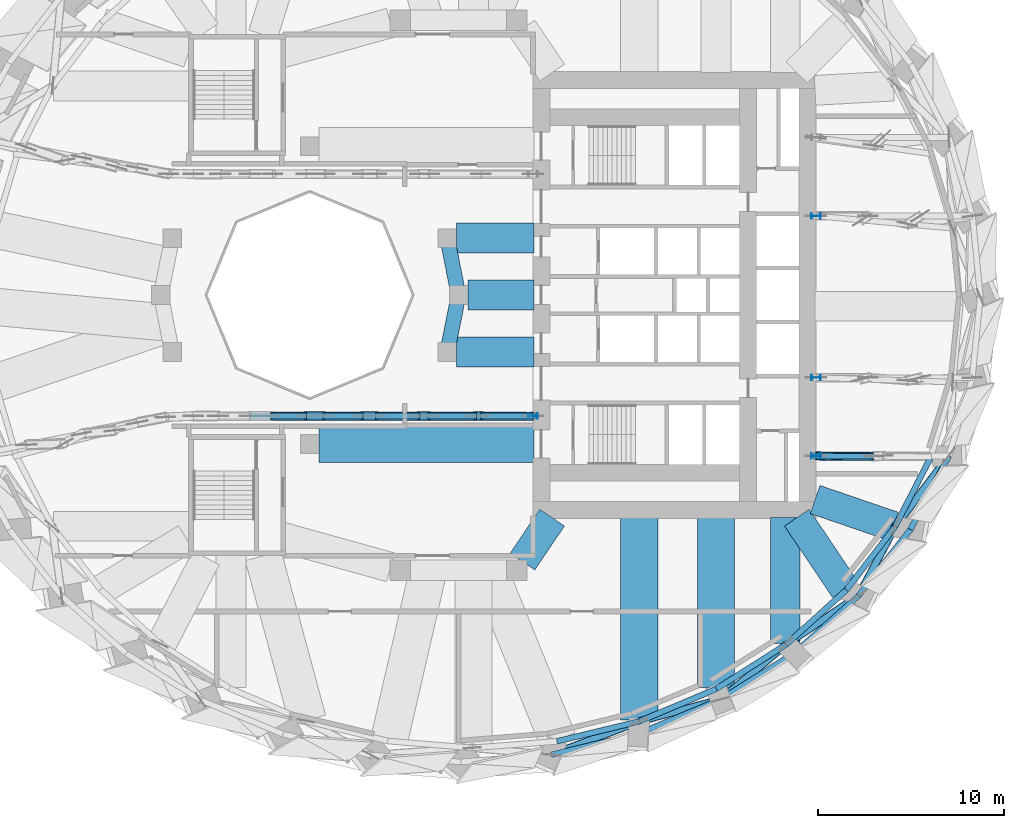
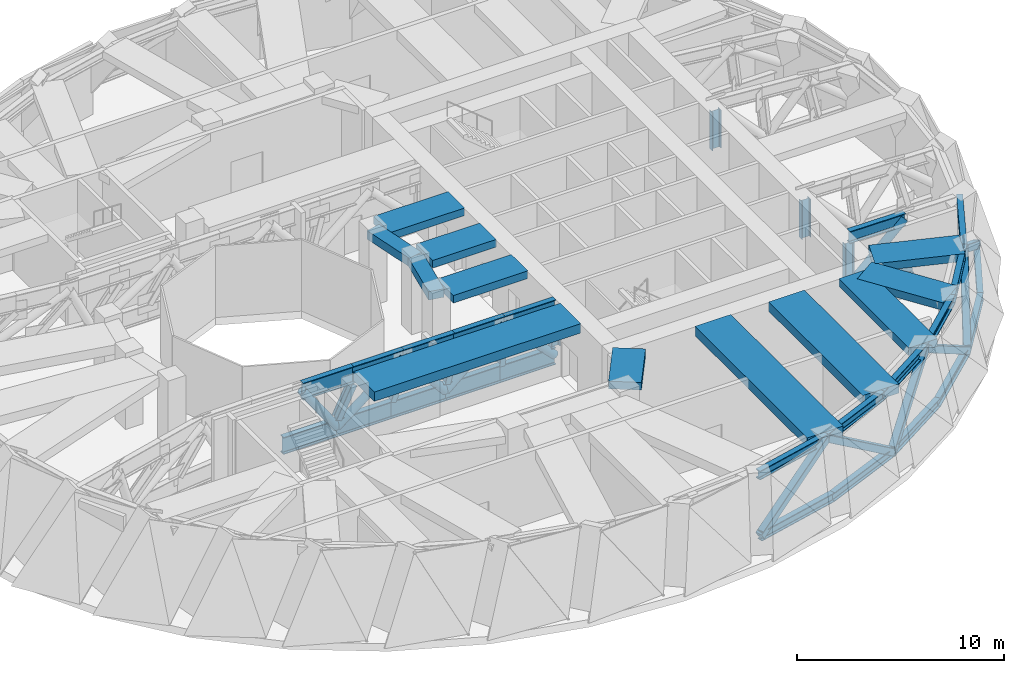
# One storey, part 3 of 15: 44 members, 12 beams.
"""IFC4 building model written with IfcOpenShell, lengths in metres."""

from ifc_helpers import new_model, si_unit, direction, frame, origin, origin_2d, place, context, subcontext, project, spatial, rectangle, hollow_rectangle, hollow_circle, i_section, extrude, material, material_profile, profile_set, type_object, element, save


model = new_model("IFC4")

# Units and contexts
model_context = context("Model", 3, precision=1e-05, world=origin(), true_north=direction((0.0, 1.0)))
body_context = subcontext(model_context, "Body", "Model", "MODEL_VIEW")
ifc_project = project(units=[si_unit("LENGTHUNIT", "METRE"), si_unit("AREAUNIT", "SQUARE_METRE"), si_unit("VOLUMEUNIT", "CUBIC_METRE"), si_unit("PLANEANGLEUNIT", "RADIAN"), si_unit("MASSUNIT", "GRAM", prefix="KILO")], contexts=[model_context])

# Site, building, storey
site_placement = place(None, origin())
site = spatial("IfcSite", under=ifc_project, at=site_placement, CompositionType="ELEMENT")
building_placement = place(site_placement, origin())
building = spatial("IfcBuilding", under=site, at=building_placement, Name="Taillehof Tower", CompositionType="ELEMENT")
storey_placement = place(building_placement, frame((0.0, 0.0, 84.39990234375)))
storey = spatial("IfcBuildingStorey", under=building, at=storey_placement, Name="L23", CompositionType="ELEMENT", Elevation=84.39990234375)

# Beams
ifc_material_1 = material(Name="Concrete C50/60", Category="concrete")
ifc_material_profile_1 = material_profile(ifc_material_1, rectangle(XDim=0.800048828125, YDim=0.5, at=origin_2d()), Name="RC 800x500")
ifc_profile_set_1 = profile_set([ifc_material_profile_1], Name="Concrete C50/60")
beam_type_1 = type_object("IfcBeamType", Name="Atrium ring beam C50/60 800x500", PredefinedType="BEAM", material=ifc_profile_set_1)
for number, where, z_axis, x_axis, name in (
    (1, (0.0, 0.0, 3.97021484375), (-0.195063155143, 0.980790683839, 0.0), (-0.980790683839, -0.195063155143, 0.0), "Atrium ring beam AB01"),
    (2, (-0.60888671875, -3.0615234375, 3.97021484375), (0.195063155143, 0.980790683839, 0.0), (-0.980790683839, 0.195063155143, 0.0), "Atrium ring beam AB08"),
):
    element("IfcBeam", number, at=place(storey_placement, frame(where, z_axis=z_axis, x_axis=x_axis)), inside=storey, type_object=beam_type_1, Name=name, PredefinedType="BEAM", context=body_context, shape_type="SweptSolid", body=[
        extrude(rectangle(XDim=0.800048828125, YDim=0.5, at=origin_2d()), origin(), (0.0, 0.0, 1.0), 3.12158203125),
    ])

# Members
ifc_material_2 = material(Name="Steel S460M", Category="steel")
ifc_material_profile_2 = material_profile(ifc_material_2, i_section(OverallWidth=0.305908203125, OverallDepth=0.52392578125, WebThickness=0.02099609375, FlangeThickness=0.0400390625, FilletRadius=0.027099609375, at=origin_2d()), Name="HEM 500")
ifc_profile_set_2 = profile_set([ifc_material_profile_2], Name="Steel S460M")
member_type_1 = type_object("IfcMemberType", Name="Belt truss chord HEM 500", PredefinedType="CHORD", material=ifc_profile_set_2)
member_1_placement = place(storey_placement, frame((4.977783203125, -24.69775390625, 0.900146484375), z_axis=(0.972180780297, 0.234231787813, 0.0), x_axis=(-0.234231787813, 0.972180780297, 0.0)))
element("IfcMember", 3, at=member_1_placement, inside=storey, type_object=member_type_1, Name="Belt truss bottom chord BB29", PredefinedType="CHORD", context=body_context, shape_type="SweptSolid", body=[
    extrude(i_section(OverallWidth=0.305908203125, OverallDepth=0.52392578125, WebThickness=0.02099609375, FlangeThickness=0.0400390625, FilletRadius=0.027099609375, at=origin_2d()), origin(), (0.0, 0.0, 1.0), 4.826904296875),
])
member_2_placement = place(storey_placement, frame((5.28759765625, -23.974609375, 3.9580078125), z_axis=(0.971993416931, 0.235008079529, 0.0), x_axis=(-0.235008079529, 0.971993416931, 0.0)))
element("IfcMember", 4, at=member_2_placement, inside=storey, type_object=member_type_1, Name="Belt truss top chord BT29", PredefinedType="CHORD", context=body_context, shape_type="SweptSolid", body=[
    extrude(i_section(OverallWidth=0.305908203125, OverallDepth=0.52392578125, WebThickness=0.02099609375, FlangeThickness=0.0400390625, FilletRadius=0.027099609375, at=origin_2d()), origin(), (0.0, 0.0, 1.0), 4.544921875),
])
member_3_placement = place(storey_placement, frame((9.67041015625, -23.567138671875, 0.900146484375), z_axis=(0.922564309372, 0.385843355617, 0.0), x_axis=(-0.385843355617, 0.922564309372, 0.0)))
element("IfcMember", 5, at=member_3_placement, inside=storey, type_object=member_type_1, Name="Belt truss bottom chord BB30", PredefinedType="CHORD", context=body_context, shape_type="SweptSolid", body=[
    extrude(i_section(OverallWidth=0.305908203125, OverallDepth=0.52392578125, WebThickness=0.02099609375, FlangeThickness=0.0400390625, FilletRadius=0.027099609375, at=origin_2d()), origin(), (0.0, 0.0, 1.0), 4.770263671875),
])
member_4_placement = place(storey_placement, frame((9.705322265625, -22.906494140625, 3.9580078125), z_axis=(0.921260355796, 0.388946470402, 0.0), x_axis=(-0.388946470402, 0.921260355796, 0.0)))
element("IfcMember", 6, at=member_4_placement, inside=storey, type_object=member_type_1, Name="Belt truss top chord BT30", PredefinedType="CHORD", context=body_context, shape_type="SweptSolid", body=[
    extrude(i_section(OverallWidth=0.305908203125, OverallDepth=0.52392578125, WebThickness=0.02099609375, FlangeThickness=0.0400390625, FilletRadius=0.027099609375, at=origin_2d()), origin(), (0.0, 0.0, 1.0), 4.50244140625),
])
member_5_placement = place(storey_placement, frame((14.0712890625, -21.7265625, 0.900146484375), z_axis=(0.847126764338, 0.531390859107, 0.0), x_axis=(-0.531390859107, 0.847126764338, 0.0)))
element("IfcMember", 7, at=member_5_placement, inside=storey, type_object=member_type_1, Name="Belt truss bottom chord BB31", PredefinedType="CHORD", context=body_context, shape_type="SweptSolid", body=[
    extrude(i_section(OverallWidth=0.305908203125, OverallDepth=0.52392578125, WebThickness=0.02099609375, FlangeThickness=0.0400390625, FilletRadius=0.027099609375, at=origin_2d()), origin(), (0.0, 0.0, 1.0), 4.69580078125),
])
member_6_placement = place(storey_placement, frame((13.853271484375, -21.1552734375, 3.9580078125), z_axis=(0.844161471075, 0.536088995179, 0.0), x_axis=(-0.536088995179, 0.844161471075, 0.0)))
element("IfcMember", 8, at=member_6_placement, inside=storey, type_object=member_type_1, Name="Belt truss top chord BT31", PredefinedType="CHORD", context=body_context, shape_type="SweptSolid", body=[
    extrude(i_section(OverallWidth=0.305908203125, OverallDepth=0.52392578125, WebThickness=0.02099609375, FlangeThickness=0.0400390625, FilletRadius=0.027099609375, at=origin_2d()), origin(), (0.0, 0.0, 1.0), 4.440185546875),
])
member_7_placement = place(storey_placement, frame((18.04931640625, -19.231201171875, 0.900146484375), z_axis=(0.745118083578, 0.666932561452, 0.0), x_axis=(-0.666932561452, 0.745118083578, 0.0)))
element("IfcMember", 9, at=member_7_placement, inside=storey, type_object=member_type_1, Name="Belt truss bottom chord BB32", PredefinedType="CHORD", context=body_context, shape_type="SweptSolid", body=[
    extrude(i_section(OverallWidth=0.305908203125, OverallDepth=0.52392578125, WebThickness=0.02099609375, FlangeThickness=0.0400390625, FilletRadius=0.027099609375, at=origin_2d()), origin(), (0.0, 0.0, 1.0), 4.612060546875),
])
member_8_placement = place(storey_placement, frame((17.6015625, -18.77490234375, 3.9580078125), z_axis=(0.740392805519, 0.672174451714, 0.0), x_axis=(-0.672174451714, 0.740392805519, 0.0)))
element("IfcMember", 10, at=member_8_placement, inside=storey, type_object=member_type_1, Name="Belt truss top chord BT32", PredefinedType="CHORD", context=body_context, shape_type="SweptSolid", body=[
    extrude(i_section(OverallWidth=0.305908203125, OverallDepth=0.52392578125, WebThickness=0.02099609375, FlangeThickness=0.0400390625, FilletRadius=0.027099609375, at=origin_2d()), origin(), (0.0, 0.0, 1.0), 4.3662109375),
])
member_9_placement = place(storey_placement, frame((21.48583984375, -16.1552734375, 0.900146484375), z_axis=(0.616405691274, 0.787428742024, 0.0), x_axis=(-0.787428742024, 0.616405691274, 0.0)))
element("IfcMember", 11, at=member_9_placement, inside=storey, type_object=member_type_1, Name="Belt truss bottom chord BB33", PredefinedType="CHORD", context=body_context, shape_type="SweptSolid", body=[
    extrude(i_section(OverallWidth=0.305908203125, OverallDepth=0.52392578125, WebThickness=0.02099609375, FlangeThickness=0.0400390625, FilletRadius=0.027099609375, at=origin_2d()), origin(), (0.0, 0.0, 1.0), 4.526611328125),
])
member_10_placement = place(storey_placement, frame((20.834228515625, -15.840087890625, 3.9580078125), z_axis=(0.610329361156, 0.792147758256, 0.0), x_axis=(-0.792147758256, 0.610329361156, 0.0)))
element("IfcMember", 12, at=member_10_placement, inside=storey, type_object=member_type_1, Name="Belt truss top chord BT33", PredefinedType="CHORD", context=body_context, shape_type="SweptSolid", body=[
    extrude(i_section(OverallWidth=0.305908203125, OverallDepth=0.52392578125, WebThickness=0.02099609375, FlangeThickness=0.0400390625, FilletRadius=0.027099609375, at=origin_2d()), origin(), (0.0, 0.0, 1.0), 4.2900390625),
])
member_11_placement = place(storey_placement, frame((24.276123046875, -12.5908203125, 0.900146484375), z_axis=(0.462571630499, 0.886581911984, 0.0), x_axis=(-0.886581911984, 0.462571630499, 0.0)))
element("IfcMember", 13, at=member_11_placement, inside=storey, type_object=member_type_1, Name="Belt truss bottom chord BB34", PredefinedType="CHORD", context=body_context, shape_type="SweptSolid", body=[
    extrude(i_section(OverallWidth=0.305908203125, OverallDepth=0.52392578125, WebThickness=0.02099609375, FlangeThickness=0.0400390625, FilletRadius=0.027099609375, at=origin_2d()), origin(), (0.0, 0.0, 1.0), 4.450927734375),
])
member_12_placement = place(storey_placement, frame((23.45263671875, -12.441650390625, 3.9580078125), z_axis=(0.456142885637, 0.889906550084, 0.0), x_axis=(-0.889906550084, 0.456142885637, 0.0)))
element("IfcMember", 14, at=member_12_placement, inside=storey, type_object=member_type_1, Name="Belt truss top chord BT34", PredefinedType="CHORD", context=body_context, shape_type="SweptSolid", body=[
    extrude(i_section(OverallWidth=0.305908203125, OverallDepth=0.52392578125, WebThickness=0.02099609375, FlangeThickness=0.0400390625, FilletRadius=0.027099609375, at=origin_2d()), origin(), (0.0, 0.0, 1.0), 4.221923828125),
])
ifc_material_3 = material(Name="Steel S460M", Category="steel")
ifc_material_profile_3 = material_profile(ifc_material_3, hollow_rectangle(XDim=0.39990234375, YDim=0.39990234375, WallThickness=0.02001953125, InnerFilletRadius=0.02001953125, OuterFilletRadius=0.030029296875, at=origin_2d()), Name="RHS 400x400x20")
ifc_profile_set_3 = profile_set([ifc_material_profile_3], Name="Steel S460M")
member_type_2 = type_object("IfcMemberType", Name="Belt truss diagonal RHS 400x400x20", PredefinedType="BRACE", material=ifc_profile_set_3)
member_13_placement = place(storey_placement, frame((4.977783203125, -24.69775390625, 0.900146484375), z_axis=(0.800143640966, 0.303173615667, 0.517547980949), x_axis=(-0.354317924622, 0.935125022813, 0.0)))
element("IfcMember", 15, at=member_13_placement, inside=storey, type_object=member_type_2, Name="Belt truss diagonal BX29", PredefinedType="BRACE", context=body_context, shape_type="SweptSolid", body=[
    extrude(hollow_rectangle(XDim=0.39990234375, YDim=0.39990234375, WallThickness=0.02001953125, InnerFilletRadius=0.02001953125, OuterFilletRadius=0.030029296875, at=origin_2d()), origin(), (0.0, 0.0, 1.0), 5.908447265625),
])
member_14_placement = place(storey_placement, frame((9.705322265625, -22.906494140625, 3.9580078125), z_axis=(0.799723920647, 0.216130722389, -0.560115310971), x_axis=(-0.260896788138, 0.965366700244, 0.0)))
element("IfcMember", 16, at=member_14_placement, inside=storey, type_object=member_type_2, Name="Belt truss diagonal BX30", PredefinedType="BRACE", context=body_context, shape_type="SweptSolid", body=[
    extrude(hollow_rectangle(XDim=0.39990234375, YDim=0.39990234375, WallThickness=0.02001953125, InnerFilletRadius=0.02001953125, OuterFilletRadius=0.030029296875, at=origin_2d()), origin(), (0.0, 0.0, 1.0), 5.459228515625),
])
member_15_placement = place(storey_placement, frame((14.0712890625, -21.7265625, 0.900146484375), z_axis=(0.638963317952, 0.53423696501, 0.55345889055), x_axis=(-0.641435996821, 0.767176552029, 0.0)))
element("IfcMember", 17, at=member_15_placement, inside=storey, type_object=member_type_2, Name="Belt truss diagonal BX31", PredefinedType="BRACE", context=body_context, shape_type="SweptSolid", body=[
    extrude(hollow_rectangle(XDim=0.39990234375, YDim=0.39990234375, WallThickness=0.02001953125, InnerFilletRadius=0.02001953125, OuterFilletRadius=0.030029296875, at=origin_2d()), origin(), (0.0, 0.0, 1.0), 5.52490234375),
])
member_16_placement = place(storey_placement, frame((17.6015625, -18.77490234375, 3.9580078125), z_axis=(0.694278993686, 0.46823467016, -0.546564701189), x_axis=(-0.559141668278, 0.829072128826, 0.0)))
element("IfcMember", 18, at=member_16_placement, inside=storey, type_object=member_type_2, Name="Belt truss diagonal BX32", PredefinedType="BRACE", context=body_context, shape_type="SweptSolid", body=[
    extrude(hollow_rectangle(XDim=0.39990234375, YDim=0.39990234375, WallThickness=0.02001953125, InnerFilletRadius=0.02001953125, OuterFilletRadius=0.030029296875, at=origin_2d()), origin(), (0.0, 0.0, 1.0), 5.5947265625),
])
member_17_placement = place(storey_placement, frame((21.48583984375, -16.1552734375, 0.900146484375), z_axis=(0.378441547272, 0.714557395178, 0.588378895181), x_axis=(-0.883713007038, 0.468029188397, 0.0)))
element("IfcMember", 19, at=member_17_placement, inside=storey, type_object=member_type_2, Name="Belt truss diagonal BX33", PredefinedType="BRACE", context=body_context, shape_type="SweptSolid", body=[
    extrude(hollow_rectangle(XDim=0.39990234375, YDim=0.39990234375, WallThickness=0.02001953125, InnerFilletRadius=0.02001953125, OuterFilletRadius=0.030029296875, at=origin_2d()), origin(), (0.0, 0.0, 1.0), 5.197021484375),
])
member_18_placement = place(storey_placement, frame((23.45263671875, -12.441650390625, 3.9580078125), z_axis=(0.508935117652, 0.670418342345, -0.539929895697), x_axis=(-0.796495645875, 0.604644264095, 0.0)))
element("IfcMember", 20, at=member_18_placement, inside=storey, type_object=member_type_2, Name="Belt truss diagonal BX34", PredefinedType="BRACE", context=body_context, shape_type="SweptSolid", body=[
    extrude(hollow_rectangle(XDim=0.39990234375, YDim=0.39990234375, WallThickness=0.02001953125, InnerFilletRadius=0.02001953125, OuterFilletRadius=0.030029296875, at=origin_2d()), origin(), (0.0, 0.0, 1.0), 5.663330078125),
])
ifc_material_4 = material(Name="Steel S460M", Category="steel")
ifc_material_profile_4 = material_profile(ifc_material_4, i_section(OverallWidth=0.302001953125, OverallDepth=1.008056640625, WebThickness=0.02099609375, FlangeThickness=0.0400390625, FilletRadius=0.030029296875, at=origin_2d()), Name="HEM 1000")
ifc_profile_set_4 = profile_set([ifc_material_profile_4], Name="Steel S460M")
member_type_3 = type_object("IfcMemberType", Name="Outrigger chord HEM 1000", PredefinedType="CHORD", material=ifc_profile_set_4)
member_19_placement = place(storey_placement, frame((4.0, -6.5, 0.900146484375), z_axis=(-1.0, 0.0, 0.0), x_axis=(0.0, -1.0, 0.0)))
element("IfcMember", 21, at=member_19_placement, inside=storey, type_object=member_type_3, Name="Outrigger OT6 bottom chord 01", PredefinedType="CHORD", context=body_context, shape_type="SweptSolid", body=[
    extrude(i_section(OverallWidth=0.302001953125, OverallDepth=1.008056640625, WebThickness=0.02099609375, FlangeThickness=0.0400390625, FilletRadius=0.030029296875, at=origin_2d()), origin(), (0.0, 0.0, 1.0), 3.041259765625),
])
member_20_placement = place(storey_placement, frame((4.0, -6.5, 3.716064453125), z_axis=(-1.0, 0.0, 0.0), x_axis=(0.0, -1.0, 0.0)))
element("IfcMember", 22, at=member_20_placement, inside=storey, type_object=member_type_3, Name="Outrigger OT6 top chord 01", PredefinedType="CHORD", context=body_context, shape_type="SweptSolid", body=[
    extrude(i_section(OverallWidth=0.302001953125, OverallDepth=1.008056640625, WebThickness=0.02099609375, FlangeThickness=0.0400390625, FilletRadius=0.030029296875, at=origin_2d()), origin(), (0.0, 0.0, 1.0), 2.821044921875),
])
member_21_placement = place(storey_placement, frame((0.958740234375, -6.5, 0.900146484375), z_axis=(-1.0, 0.0, 0.0), x_axis=(0.0, -1.0, 0.0)))
element("IfcMember", 23, at=member_21_placement, inside=storey, type_object=member_type_3, Name="Outrigger OT6 bottom chord 02", PredefinedType="CHORD", context=body_context, shape_type="SweptSolid", body=[
    extrude(i_section(OverallWidth=0.302001953125, OverallDepth=1.008056640625, WebThickness=0.02099609375, FlangeThickness=0.0400390625, FilletRadius=0.030029296875, at=origin_2d()), origin(), (0.0, 0.0, 1.0), 3.041259765625),
])
member_22_placement = place(storey_placement, frame((1.178955078125, -6.5, 3.716064453125), z_axis=(-1.0, 0.0, 0.0), x_axis=(0.0, -1.0, 0.0)))
element("IfcMember", 24, at=member_22_placement, inside=storey, type_object=member_type_3, Name="Outrigger OT6 top chord 02", PredefinedType="CHORD", context=body_context, shape_type="SweptSolid", body=[
    extrude(i_section(OverallWidth=0.302001953125, OverallDepth=1.008056640625, WebThickness=0.02099609375, FlangeThickness=0.0400390625, FilletRadius=0.030029296875, at=origin_2d()), origin(), (0.0, 0.0, 1.0), 2.82080078125),
])
member_23_placement = place(storey_placement, frame((-2.08251953125, -6.5, 0.900146484375), z_axis=(-1.0, 0.0, 0.0), x_axis=(0.0, -1.0, 0.0)))
element("IfcMember", 25, at=member_23_placement, inside=storey, type_object=member_type_3, Name="Outrigger OT6 bottom chord 03", PredefinedType="CHORD", context=body_context, shape_type="SweptSolid", body=[
    extrude(i_section(OverallWidth=0.302001953125, OverallDepth=1.008056640625, WebThickness=0.02099609375, FlangeThickness=0.0400390625, FilletRadius=0.030029296875, at=origin_2d()), origin(), (0.0, 0.0, 1.0), 3.041259765625),
])
member_24_placement = place(storey_placement, frame((-1.641845703125, -6.5, 3.716064453125), z_axis=(-1.0, 0.0, 0.0), x_axis=(0.0, -1.0, 0.0)))
element("IfcMember", 26, at=member_24_placement, inside=storey, type_object=member_type_3, Name="Outrigger OT6 top chord 03", PredefinedType="CHORD", context=body_context, shape_type="SweptSolid", body=[
    extrude(i_section(OverallWidth=0.302001953125, OverallDepth=1.008056640625, WebThickness=0.02099609375, FlangeThickness=0.0400390625, FilletRadius=0.030029296875, at=origin_2d()), origin(), (0.0, 0.0, 1.0), 2.821044921875),
])
member_25_placement = place(storey_placement, frame((-5.123779296875, -6.5, 0.900146484375), z_axis=(-1.0, 0.0, 0.0), x_axis=(0.0, -1.0, 0.0)))
element("IfcMember", 27, at=member_25_placement, inside=storey, type_object=member_type_3, Name="Outrigger OT6 bottom chord 04", PredefinedType="CHORD", context=body_context, shape_type="SweptSolid", body=[
    extrude(i_section(OverallWidth=0.302001953125, OverallDepth=1.008056640625, WebThickness=0.02099609375, FlangeThickness=0.0400390625, FilletRadius=0.030029296875, at=origin_2d()), origin(), (0.0, 0.0, 1.0), 3.041259765625),
])
member_26_placement = place(storey_placement, frame((-4.462890625, -6.5, 3.716064453125), z_axis=(-1.0, 0.0, 0.0), x_axis=(0.0, -1.0, 0.0)))
element("IfcMember", 28, at=member_26_placement, inside=storey, type_object=member_type_3, Name="Outrigger OT6 top chord 04", PredefinedType="CHORD", context=body_context, shape_type="SweptSolid", body=[
    extrude(i_section(OverallWidth=0.302001953125, OverallDepth=1.008056640625, WebThickness=0.02099609375, FlangeThickness=0.0400390625, FilletRadius=0.030029296875, at=origin_2d()), origin(), (0.0, 0.0, 1.0), 2.821044921875),
])
member_27_placement = place(storey_placement, frame((-8.1650390625, -6.5, 0.900146484375), z_axis=(-1.0, 0.0, 0.0), x_axis=(0.0, -1.0, 0.0)))
element("IfcMember", 29, at=member_27_placement, inside=storey, type_object=member_type_3, Name="Outrigger OT6 bottom chord 05", PredefinedType="CHORD", context=body_context, shape_type="SweptSolid", body=[
    extrude(i_section(OverallWidth=0.302001953125, OverallDepth=1.008056640625, WebThickness=0.02099609375, FlangeThickness=0.0400390625, FilletRadius=0.030029296875, at=origin_2d()), origin(), (0.0, 0.0, 1.0), 3.041259765625),
])
member_28_placement = place(storey_placement, frame((-7.283935546875, -6.5, 3.716064453125), z_axis=(-1.0, 0.0, 0.0), x_axis=(0.0, -1.0, 0.0)))
element("IfcMember", 30, at=member_28_placement, inside=storey, type_object=member_type_3, Name="Outrigger OT6 top chord 05", PredefinedType="CHORD", context=body_context, shape_type="SweptSolid", body=[
    extrude(i_section(OverallWidth=0.302001953125, OverallDepth=1.008056640625, WebThickness=0.02099609375, FlangeThickness=0.0400390625, FilletRadius=0.030029296875, at=origin_2d()), origin(), (0.0, 0.0, 1.0), 2.821044921875),
])
ifc_material_5 = material(Name="Steel S460M", Category="steel")
ifc_material_profile_5 = material_profile(ifc_material_5, i_section(OverallWidth=0.303955078125, OverallDepth=0.716064453125, WebThickness=0.02099609375, FlangeThickness=0.0400390625, FilletRadius=0.027099609375, at=origin_2d()), Name="HEM 700")
ifc_profile_set_5 = profile_set([ifc_material_profile_5], Name="Steel S460M")
member_type_4 = type_object("IfcMemberType", Name="Outrigger chord HEM 700", PredefinedType="CHORD", material=ifc_profile_set_5)
member_29_placement = place(storey_placement, frame((19.199951171875, -8.644775390625, 0.900146484375), z_axis=(1.0, 0.0, 0.0), x_axis=(0.0, 1.0, 0.0)))
element("IfcMember", 31, at=member_29_placement, inside=storey, type_object=member_type_4, Name="Outrigger OT3 bottom chord 01", PredefinedType="CHORD", context=body_context, shape_type="SweptSolid", body=[
    extrude(i_section(OverallWidth=0.303955078125, OverallDepth=0.716064453125, WebThickness=0.02099609375, FlangeThickness=0.0400390625, FilletRadius=0.027099609375, at=origin_2d()), origin(), (0.0, 0.0, 1.0), 3.5673828125),
])
member_30_placement = place(storey_placement, frame((19.199951171875, -8.644775390625, 3.862060546875), z_axis=(0.999980699041, -0.006213014174, 0.0), x_axis=(0.006213014174, 0.999980699041, 0.0)))
element("IfcMember", 32, at=member_30_placement, inside=storey, type_object=member_type_4, Name="Outrigger OT3 top chord 01", PredefinedType="CHORD", context=body_context, shape_type="SweptSolid", body=[
    extrude(i_section(OverallWidth=0.303955078125, OverallDepth=0.716064453125, WebThickness=0.02099609375, FlangeThickness=0.0400390625, FilletRadius=0.027099609375, at=origin_2d()), origin(), (0.0, 0.0, 1.0), 3.104248046875),
])
ifc_material_6 = material(Name="Steel S460M", Category="steel")
ifc_material_profile_6 = material_profile(ifc_material_6, hollow_circle(Radius=0.228515625, WallThickness=0.02490234375, at=origin_2d()), Name="CHS 457x25")
ifc_profile_set_6 = profile_set([ifc_material_profile_6], Name="Steel S460M")
member_type_5 = type_object("IfcMemberType", Name="Outrigger diagonal CHS 457x25", PredefinedType="BRACE", material=ifc_profile_set_6)
member_31_placement = place(storey_placement, frame((19.199951171875, -8.644775390625, 0.900146484375), z_axis=(0.723491609919, -0.004495150388, 0.690318538068), x_axis=(0.006213014174, 0.999980699041, 0.0)))
element("IfcMember", 33, at=member_31_placement, inside=storey, type_object=member_type_5, Name="Outrigger OT3 diagonal 01", PredefinedType="BRACE", context=body_context, shape_type="SweptSolid", body=[
    extrude(hollow_circle(Radius=0.228515625, WallThickness=0.02490234375, at=origin_2d()), origin(), (0.0, 0.0, 1.0), 4.29052734375),
])
member_32_placement = place(storey_placement, frame((4.0, -6.5, 0.900146484375), z_axis=(-0.707749619049, 0.0, 0.706463358382), x_axis=(0.0, -1.0, 0.0)))
element("IfcMember", 34, at=member_32_placement, inside=storey, type_object=member_type_5, Name="Outrigger OT6 diagonal 01", PredefinedType="BRACE", context=body_context, shape_type="SweptSolid", body=[
    extrude(hollow_circle(Radius=0.228515625, WallThickness=0.02490234375, at=origin_2d()), origin(), (0.0, 0.0, 1.0), 3.98583984375),
])
member_33_placement = place(storey_placement, frame((1.178955078125, -6.5, 3.716064453125), z_axis=(-0.756916002365, 0.0, -0.653512176905), x_axis=(0.0, -1.0, 0.0)))
element("IfcMember", 35, at=member_33_placement, inside=storey, type_object=member_type_5, Name="Outrigger OT6 diagonal 02", PredefinedType="BRACE", context=body_context, shape_type="SweptSolid", body=[
    extrude(hollow_circle(Radius=0.228515625, WallThickness=0.02490234375, at=origin_2d()), origin(), (0.0, 0.0, 1.0), 4.308837890625),
])
member_34_placement = place(storey_placement, frame((-2.08251953125, -6.5, 0.900146484375), z_axis=(-0.645574114942, 0.0, 0.763697624794), x_axis=(0.0, -1.0, 0.0)))
element("IfcMember", 36, at=member_34_placement, inside=storey, type_object=member_type_5, Name="Outrigger OT6 diagonal 03", PredefinedType="BRACE", context=body_context, shape_type="SweptSolid", body=[
    extrude(hollow_circle(Radius=0.228515625, WallThickness=0.02490234375, at=origin_2d()), origin(), (0.0, 0.0, 1.0), 3.687255859375),
])
member_35_placement = place(storey_placement, frame((-4.462890625, -6.5, 3.716064453125), z_axis=(-0.795925458885, 0.0, -0.605394634844), x_axis=(0.0, -1.0, 0.0)))
element("IfcMember", 37, at=member_35_placement, inside=storey, type_object=member_type_5, Name="Outrigger OT6 diagonal 04", PredefinedType="BRACE", context=body_context, shape_type="SweptSolid", body=[
    extrude(hollow_circle(Radius=0.228515625, WallThickness=0.02490234375, at=origin_2d()), origin(), (0.0, 0.0, 1.0), 4.6513671875),
])
member_36_placement = place(storey_placement, frame((-8.1650390625, -6.5, 0.900146484375), z_axis=(-0.567322451804, 0.0, 0.823495741142), x_axis=(0.0, -1.0, 0.0)))
element("IfcMember", 38, at=member_36_placement, inside=storey, type_object=member_type_5, Name="Outrigger OT6 diagonal 05", PredefinedType="BRACE", context=body_context, shape_type="SweptSolid", body=[
    extrude(hollow_circle(Radius=0.228515625, WallThickness=0.02490234375, at=origin_2d()), origin(), (0.0, 0.0, 1.0), 3.41943359375),
])
ifc_material_7 = material(Name="Steel S460M", Category="steel")
ifc_material_profile_7 = material_profile(ifc_material_7, i_section(OverallWidth=0.300048828125, OverallDepth=0.5, WebThickness=0.014404296875, FlangeThickness=0.028076171875, FilletRadius=0.027099609375, at=origin_2d()), Name="HEB 500")
ifc_profile_set_7 = profile_set([ifc_material_profile_7], Name="Steel S460M")
member_type_6 = type_object("IfcMemberType", Name="Outrigger post HEB 500", PredefinedType="POST", material=ifc_profile_set_7)
for number, where, z_axis, x_axis, name in (
    (39, (19.199951171875, 4.24755859375, 1.258056640625), (0.0, 0.0, 1.0), (0.0, -1.0, 0.0), "Outrigger OT1 post 01"),
    (40, (19.199951171875, -8.644775390625, 1.258056640625), (0.0, 0.0, 1.0), (0.0, -1.0, 0.0), "Outrigger OT3 post 01"),
    (41, (19.199951171875, -4.43701171875, 1.258056640625), (0.0, 0.0, 1.0), (0.0, -1.0, 0.0), "Outrigger OT4 post 01"),
):
    element("IfcMember", number, at=place(storey_placement, frame(where, z_axis=z_axis, x_axis=x_axis)), inside=storey, type_object=member_type_6, Name=name, PredefinedType="POST", context=body_context, shape_type="SweptSolid", body=[
        extrude(i_section(OverallWidth=0.300048828125, OverallDepth=0.5, WebThickness=0.014404296875, FlangeThickness=0.028076171875, FilletRadius=0.027099609375, at=origin_2d()), origin(), (0.0, 0.0, 1.0), 2.24609375),
    ])
member_37_placement = place(storey_placement, frame((4.0, -6.5, 1.404052734375), z_axis=(0.0, 0.0, 1.0), x_axis=(0.0, 1.0, 0.0)))
element("IfcMember", 42, at=member_37_placement, inside=storey, type_object=member_type_6, Name="Outrigger OT6 post 01", PredefinedType="POST", context=body_context, shape_type="SweptSolid", body=[
    extrude(i_section(OverallWidth=0.300048828125, OverallDepth=0.5, WebThickness=0.014404296875, FlangeThickness=0.028076171875, FilletRadius=0.027099609375, at=origin_2d()), origin(), (0.0, 0.0, 1.0), 1.80810546875),
])
member_38_placement = place(storey_placement, frame((0.958740234375, -6.5, 1.404052734375), z_axis=(0.120899754099, 0.0, 0.992664721575), x_axis=(-0.992664721575, 0.0, 0.120899754099)))
element("IfcMember", 43, at=member_38_placement, inside=storey, type_object=member_type_6, Name="Outrigger OT6 post 02", PredefinedType="POST", context=body_context, shape_type="SweptSolid", body=[
    extrude(i_section(OverallWidth=0.300048828125, OverallDepth=0.5, WebThickness=0.014404296875, FlangeThickness=0.028076171875, FilletRadius=0.027099609375, at=origin_2d()), origin(), (0.0, 0.0, 1.0), 1.821533203125),
])
member_39_placement = place(storey_placement, frame((-2.08251953125, -6.5, 1.404052734375), z_axis=(0.236790077001, 0.0, 0.971560836713), x_axis=(-0.971560836713, 0.0, 0.236790077001)))
element("IfcMember", 44, at=member_39_placement, inside=storey, type_object=member_type_6, Name="Outrigger OT6 post 03", PredefinedType="POST", context=body_context, shape_type="SweptSolid", body=[
    extrude(i_section(OverallWidth=0.300048828125, OverallDepth=0.5, WebThickness=0.014404296875, FlangeThickness=0.028076171875, FilletRadius=0.027099609375, at=origin_2d()), origin(), (0.0, 0.0, 1.0), 1.861083984375),
])
member_40_placement = place(storey_placement, frame((-5.123779296875, -6.5, 1.404052734375), z_axis=(0.343300530065, 0.0, 0.939225609775), x_axis=(-0.939225609775, 0.0, 0.343300530065)))
element("IfcMember", 45, at=member_40_placement, inside=storey, type_object=member_type_6, Name="Outrigger OT6 post 04", PredefinedType="POST", context=body_context, shape_type="SweptSolid", body=[
    extrude(i_section(OverallWidth=0.300048828125, OverallDepth=0.5, WebThickness=0.014404296875, FlangeThickness=0.028076171875, FilletRadius=0.027099609375, at=origin_2d()), origin(), (0.0, 0.0, 1.0), 1.925048828125),
])
member_41_placement = place(storey_placement, frame((-8.1650390625, -6.5, 1.404052734375), z_axis=(0.438062487971, 0.0, 0.898944523668), x_axis=(-0.898944523668, 0.0, 0.438062487971)))
element("IfcMember", 46, at=member_41_placement, inside=storey, type_object=member_type_6, Name="Outrigger OT6 post 05", PredefinedType="POST", context=body_context, shape_type="SweptSolid", body=[
    extrude(i_section(OverallWidth=0.300048828125, OverallDepth=0.5, WebThickness=0.014404296875, FlangeThickness=0.028076171875, FilletRadius=0.027099609375, at=origin_2d()), origin(), (0.0, 0.0, 1.0), 2.011474609375),
])

# Beams
ifc_material_8 = material(Name="Concrete C50/60", Category="concrete")
ifc_material_profile_8 = material_profile(ifc_material_8, rectangle(XDim=1.60009765625, YDim=0.449951171875, at=origin_2d()), Name="RC 1600x450")
ifc_profile_set_8 = profile_set([ifc_material_profile_8], Name="Concrete C50/60")
beam_type_2 = type_object("IfcBeamType", Name="Radial band beam C50/60 1600x450", PredefinedType="BEAM", material=ifc_profile_set_8)
beam_1_placement = place(storey_placement, frame((17.544677734375, -18.717041015625, 3.9951171875), z_axis=(0.0, 1.0, 0.0), x_axis=(-1.0, 0.0, 0.0)))
element("IfcBeam", 47, at=beam_1_placement, inside=storey, type_object=beam_type_2, Name="Radial band beam RB32", PredefinedType="BEAM", context=body_context, shape_type="SweptSolid", body=[
    extrude(rectangle(XDim=1.60009765625, YDim=0.449951171875, at=origin_2d()), origin(), (0.0, 0.0, 1.0), 6.76708984375),
])
beam_2_placement = place(storey_placement, frame((20.75537109375, -15.802001953125, 3.9951171875), z_axis=(-0.557822939952, 0.829959979555, 0.0), x_axis=(-0.829959979555, -0.557822939952, 0.0)))
element("IfcBeam", 48, at=beam_2_placement, inside=storey, type_object=beam_type_2, Name="Radial band beam RB33", PredefinedType="BEAM", context=body_context, shape_type="SweptSolid", body=[
    extrude(rectangle(XDim=1.60009765625, YDim=0.449951171875, at=origin_2d()), origin(), (0.0, 0.0, 1.0), 4.630859375),
])
beam_3_placement = place(storey_placement, frame((23.35986328125, -12.425048828125, 3.9951171875), z_axis=(-0.946037817118, 0.324056242932, 0.0), x_axis=(-0.324056242932, -0.946037817118, 0.0)))
element("IfcBeam", 49, at=beam_3_placement, inside=storey, type_object=beam_type_2, Name="Radial band beam RB34", PredefinedType="BEAM", context=body_context, shape_type="SweptSolid", body=[
    extrude(rectangle(XDim=1.60009765625, YDim=0.449951171875, at=origin_2d()), origin(), (0.0, 0.0, 1.0), 4.447265625),
])
beam_4_placement = place(storey_placement, frame((0.5, 0.0, 3.9951171875), z_axis=(1.0, 0.0, 0.0), x_axis=(0.0, 1.0, 0.0)))
element("IfcBeam", 50, at=beam_4_placement, inside=storey, type_object=beam_type_2, Name="Inner band beam IB101", PredefinedType="BEAM", context=body_context, shape_type="SweptSolid", body=[
    extrude(rectangle(XDim=1.60009765625, YDim=0.449951171875, at=origin_2d()), origin(), (0.0, 0.0, 1.0), 3.550048828125),
])
for number, where, z_axis, x_axis, name in (
    (51, (-0.10888671875, 3.0615234375, 3.9951171875), (1.0, 0.0, 0.0), (0.0, 1.0, 0.0), "Inner band beam IB102"),
    (52, (-0.10888671875, -3.0615234375, 3.9951171875), (1.0, 0.0, 0.0), (0.0, 1.0, 0.0), "Inner band beam IB116"),
):
    element("IfcBeam", number, at=place(storey_placement, frame(where, z_axis=z_axis, x_axis=x_axis)), inside=storey, type_object=beam_type_2, Name=name, PredefinedType="BEAM", context=body_context, shape_type="SweptSolid", body=[
        extrude(rectangle(XDim=1.60009765625, YDim=0.449951171875, at=origin_2d()), origin(), (0.0, 0.0, 1.0), 4.158935546875),
    ])
beam_5_placement = place(storey_placement, frame((3.433837890625, -14.31640625, 3.9951171875), z_axis=(0.560112043398, 0.828416862962, 0.0), x_axis=(-0.828416862962, 0.560112043398, 0.0)))
element("IfcBeam", 53, at=beam_5_placement, inside=storey, type_object=beam_type_2, Name="Inner band beam IB215", PredefinedType="BEAM", context=body_context, shape_type="SweptSolid", body=[
    extrude(rectangle(XDim=1.60009765625, YDim=0.449951171875, at=origin_2d()), origin(), (0.0, 0.0, 1.0), 2.84619140625),
])
ifc_material_9 = material(Name="Concrete C50/60", Category="concrete")
ifc_material_profile_9 = material_profile(ifc_material_9, rectangle(XDim=2.0, YDim=0.550048828125, at=origin_2d()), Name="RC 2000x550")
ifc_profile_set_9 = profile_set([ifc_material_profile_9], Name="Concrete C50/60")
beam_type_3 = type_object("IfcBeamType", Name="Radial band beam C50/60 2000x550", PredefinedType="BEAM", material=ifc_profile_set_9)
beam_6_placement = place(storey_placement, frame((9.709716796875, -22.82373046875, 3.945068359375), z_axis=(0.0, 1.0, 0.0), x_axis=(-1.0, 0.0, 0.0)))
element("IfcBeam", 54, at=beam_6_placement, inside=storey, type_object=beam_type_3, Name="Radial band beam RB30", PredefinedType="BEAM", context=body_context, shape_type="SweptSolid", body=[
    extrude(rectangle(XDim=2.0, YDim=0.550048828125, at=origin_2d()), origin(), (0.0, 0.0, 1.0), 10.873779296875),
])
beam_7_placement = place(storey_placement, frame((13.824951171875, -21.08154296875, 3.945068359375), z_axis=(0.0, 1.0, 0.0), x_axis=(-1.0, 0.0, 0.0)))
element("IfcBeam", 55, at=beam_7_placement, inside=storey, type_object=beam_type_3, Name="Radial band beam RB31", PredefinedType="BEAM", context=body_context, shape_type="SweptSolid", body=[
    extrude(rectangle(XDim=2.0, YDim=0.550048828125, at=origin_2d()), origin(), (0.0, 0.0, 1.0), 9.131591796875),
])
beam_8_placement = place(storey_placement, frame((-7.5, -8.0, 3.945068359375), z_axis=(1.0, 0.0, 0.0), x_axis=(0.0, 1.0, 0.0)))
element("IfcBeam", 56, at=beam_8_placement, inside=storey, type_object=beam_type_3, Name="Inner band beam IB113", PredefinedType="BEAM", context=body_context, shape_type="SweptSolid", body=[
    extrude(rectangle(XDim=2.0, YDim=0.550048828125, at=origin_2d()), origin(), (0.0, 0.0, 1.0), 11.550048828125),
])

save(model, "model.ifc")
